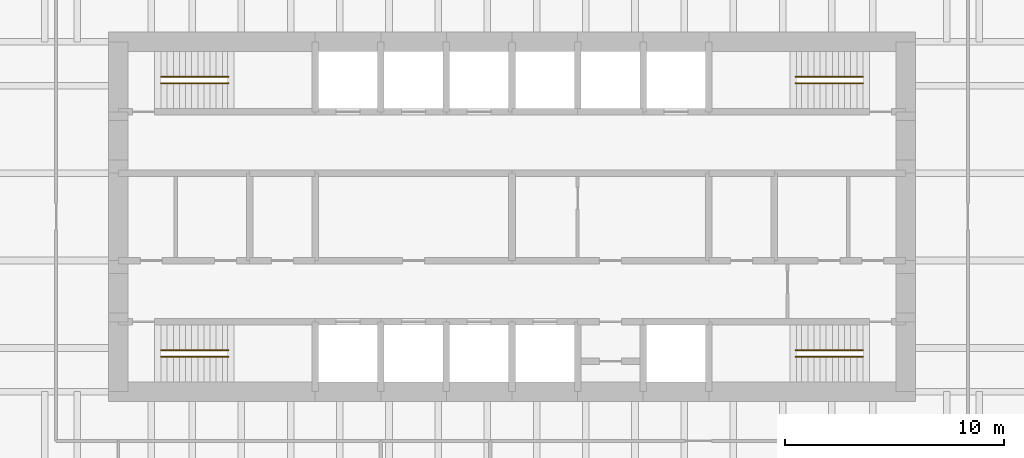
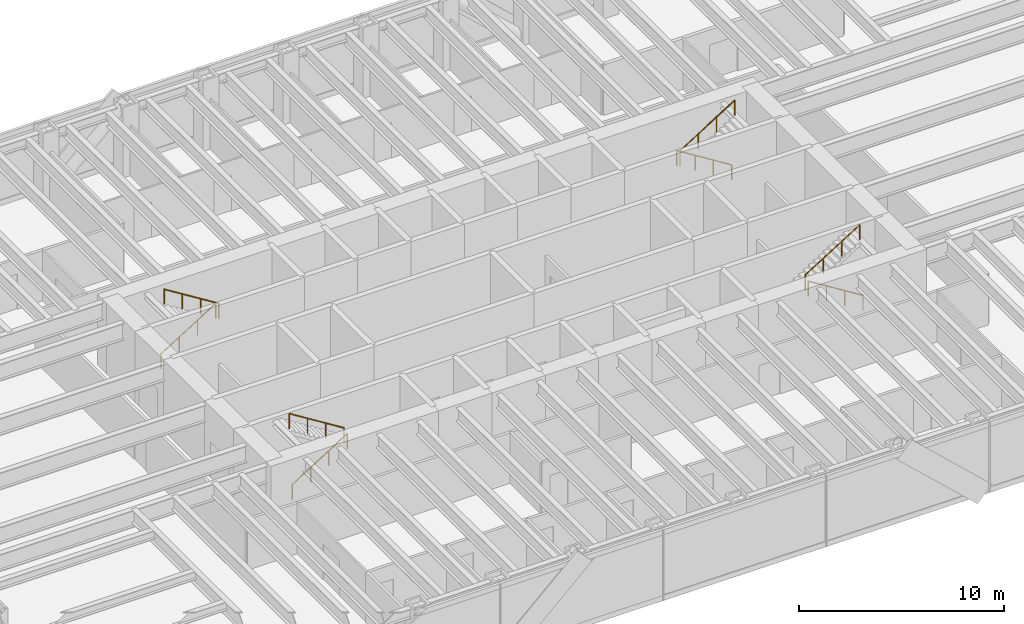
# One storey, part 15 of 15: 8 railings.
"""IFC4 building model written with IfcOpenShell, lengths in metres."""

import ifcopenshell
import ifcopenshell.guid

model = None  # the IFC model being written
_history = None  # IfcOwnerHistory: only IFC2X3 demands one
_inside = {}  # id of a spatial element -> (the spatial element, [elements in it])
_under = {}  # id of a project, library or spatial element -> (it, [spatial elements below it])
_declared = {}  # id of a project -> (the project, [libraries it declares])
_typed = {}  # id of a type object -> (the type object, [elements of that type])
_made_of = {}  # id of a material, layer set ... -> (it, [elements and type objects made of it])


def new_model(schema):
    """Start an empty IFC model of exactly this schema.

    Asked for "IFC4X3", IfcOpenShell would pick the latest addendum, in which some entities
    have other attributes; the version numbers below select the first issue.
    IFC2X3 requires an IfcOwnerHistory on every rooted entity: one is made here for all.
    """
    global model, _history
    if schema == "IFC4X3":
        model = ifcopenshell.file(schema_version=(4, 3, 0, 0))
    else:
        model = ifcopenshell.file(schema=schema)
    _inside.clear()
    _under.clear()
    _declared.clear()
    _typed.clear()
    _made_of.clear()
    _history = None
    if model.schema == "IFC2X3":
        org = make("IfcOrganization", Name="unknown")
        user = make(
            "IfcPersonAndOrganization",
            ThePerson=make("IfcPerson", FamilyName="unknown"),
            TheOrganization=org,
        )
        app = make(
            "IfcApplication",
            ApplicationDeveloper=org,
            Version="unknown",
            ApplicationFullName="unknown",
            ApplicationIdentifier="unknown",
        )
        _history = make(
            "IfcOwnerHistory",
            OwningUser=user,
            OwningApplication=app,
            ChangeAction="ADDED",
            CreationDate=0,
        )
    return model


def make(cls, **values):
    """One entity of the class cls with the attributes given. An attribute that is None is left unset."""
    return model.create_entity(
        cls, **{name: value for name, value in values.items() if value is not None}
    )


def rooted(cls, **values):
    """An entity with a GlobalId (a new one), such as an element, a storey or a relation."""
    return make(cls, GlobalId=ifcopenshell.guid.new(), OwnerHistory=_history, **values)


def si_unit(unit_type, name, prefix=None):
    """IfcSIUnit, for example si_unit("LENGTHUNIT", "METRE", prefix="MILLI")."""
    return make("IfcSIUnit", UnitType=unit_type, Prefix=prefix, Name=name)


def assignment(units):
    """IfcUnitAssignment: the units of a project."""
    return None if units is None else make("IfcUnitAssignment", Units=units)


def point(xyz):
    """IfcCartesianPoint."""
    return None if xyz is None else make("IfcCartesianPoint", Coordinates=xyz)


def direction(xyz):
    """IfcDirection."""
    return None if xyz is None else make("IfcDirection", DirectionRatios=xyz)


def frame(location, z_axis=None, x_axis=None):
    """IfcAxis2Placement3D, a coordinate frame: its origin and axes. An axis left out is left unset."""
    return make(
        "IfcAxis2Placement3D",
        Location=point(location),
        Axis=direction(z_axis),
        RefDirection=direction(x_axis),
    )


def frame_2d(location, x_axis=None):
    """IfcAxis2Placement2D, a coordinate frame in the plane: its origin and x axis."""
    return make(
        "IfcAxis2Placement2D", Location=point(location), RefDirection=direction(x_axis)
    )


def origin():
    """The frame at (0, 0, 0) with its axes left unset."""
    return frame((0.0, 0.0, 0.0))


def origin_2d():
    """The frame at (0, 0) in the plane with its x axis left unset."""
    return frame_2d((0.0, 0.0))


def place(relative_to, where):
    """IfcLocalPlacement: puts the frame where relative to a parent placement (None: the world)."""
    return make(
        "IfcLocalPlacement", PlacementRelTo=relative_to, RelativePlacement=where
    )


def context(
    kind, dimensions, precision=None, world=None, true_north=None, identifier=None
):
    """IfcGeometricRepresentationContext, for example the 3D "Model" context."""
    return make(
        "IfcGeometricRepresentationContext",
        ContextIdentifier=identifier,
        ContextType=kind,
        CoordinateSpaceDimension=dimensions,
        Precision=precision,
        WorldCoordinateSystem=world,
        TrueNorth=true_north,
    )


def subcontext(parent, identifier, kind, view, scale=None):
    """IfcGeometricRepresentationSubContext, for example "Body" below "Model"."""
    return make(
        "IfcGeometricRepresentationSubContext",
        ContextIdentifier=identifier,
        ContextType=kind,
        ParentContext=parent,
        TargetScale=scale,
        TargetView=view,
    )


def project(units=None, contexts=None):
    """IfcProject with its units and contexts."""
    return rooted(
        "IfcProject",
        Name="project",
        RepresentationContexts=contexts,
        UnitsInContext=assignment(units),
    )


def spatial(cls, under=None, at=None, **own):
    """A site, building, storey or space (cls), placed at a placement, below another one or the project."""
    s = rooted(cls, ObjectPlacement=at, **own)
    if under is not None:
        _under.setdefault(under.id(), (under, []))[1].append(s)
    return s


def profile(cls, at=None, kind="AREA", **sizes):
    """A parametric profile (cls). Its sizes go by their IFC names, for example OverallWidth=200.0."""
    return make(cls, ProfileType=kind, Position=at, **sizes)


def circle(**sizes):
    """IfcCircleProfileDef."""
    return profile("IfcCircleProfileDef", **sizes)


def extrude(swept, where, along, depth):
    """IfcExtrudedAreaSolid: the profile swept, set in the frame where, extruded along a direction by depth."""
    return make(
        "IfcExtrudedAreaSolid",
        SweptArea=swept,
        Position=where,
        ExtrudedDirection=direction(along),
        Depth=depth,
    )


def shape(context_of_items, identifier, shape_type, items):
    """IfcShapeRepresentation: the items that make up one representation, for example the "Body"."""
    return make(
        "IfcShapeRepresentation",
        ContextOfItems=context_of_items,
        RepresentationIdentifier=identifier,
        RepresentationType=shape_type,
        Items=items,
    )


def material(Name=None, Category=None):
    """IfcMaterial."""
    return make("IfcMaterial", Name=Name, Category=Category)


def made_of(thing, what):
    """Note that an element or type object is made of a material, layer set ...; save() writes the relation."""
    if what is not None:
        _made_of.setdefault(what.id(), (what, []))[1].append(thing)
    return thing


def type_object(cls, material=None, **own):
    """A type object (cls), such as IfcWallType, which elements share."""
    return made_of(rooted(cls, **own), material)


def element(
    cls,
    number,
    at=None,
    inside=None,
    cuts=None,
    type_object=None,
    material=None,
    context=None,
    identifier="Body",
    shape_type=None,
    held_by="IfcProductDefinitionShape",
    body=None,
    shapes=None,
    **own,
):
    """One element of the class cls, such as IfcWall. Its Tag is "e" and its number.

    at: its placement. inside: the storey or other place that contains it. cuts: it is an
    opening in that element (IfcRelVoidsElement). A single representation is given by context,
    identifier, shape_type and body (its items); several are given by shapes. held_by: the class
    of the entity that holds the representations. save() writes the other relations.
    """
    e = rooted(cls, Tag="e%d" % number, ObjectPlacement=at, **own)
    if body is not None:
        shapes = [shape(context, identifier, shape_type, body)]
    if shapes is not None:
        e.Representation = make(held_by, Representations=shapes)
    if inside is not None:
        _inside.setdefault(inside.id(), (inside, []))[1].append(e)
    if cuts is not None:
        rooted(
            "IfcRelVoidsElement", RelatingBuildingElement=cuts, RelatedOpeningElement=e
        )
    if type_object is not None:
        _typed.setdefault(type_object.id(), (type_object, []))[1].append(e)
    return made_of(e, material)


def aggregate(whole, parts):
    """IfcRelAggregates: a whole, such as a stair, and the parts it consists of."""
    return rooted("IfcRelAggregates", RelatingObject=whole, RelatedObjects=parts)


def save(model, path):
    """Write the relations noted so far, then the file.

    IfcRelAggregates (storeys below a building ...), IfcRelContainedInSpatialStructure (elements
    in a storey), IfcRelDefinesByType, IfcRelAssociatesMaterial and IfcRelDeclares: one each for
    every whole, place, type object, material and project.
    """
    for whole, parts in _under.values():
        aggregate(whole, parts)
    for where, things in _inside.values():
        rooted(
            "IfcRelContainedInSpatialStructure",
            RelatedElements=things,
            RelatingStructure=where,
        )
    for kind, things in _typed.values():
        rooted("IfcRelDefinesByType", RelatedObjects=things, RelatingType=kind)
    for what, things in _made_of.values():
        rooted("IfcRelAssociatesMaterial", RelatedObjects=things, RelatingMaterial=what)
    for by, libraries in _declared.values():
        rooted("IfcRelDeclares", RelatingContext=by, RelatedDefinitions=libraries)
    model.write(path)


model = new_model("IFC4")

# Units and contexts
model_context = context("Model", 3, precision=1e-05, world=origin(), true_north=direction((0.0, 1.0)))
body_context = subcontext(model_context, "Body", "Model", "MODEL_VIEW")
ifc_project = project(units=[si_unit("LENGTHUNIT", "METRE"), si_unit("AREAUNIT", "SQUARE_METRE"), si_unit("VOLUMEUNIT", "CUBIC_METRE"), si_unit("PLANEANGLEUNIT", "RADIAN"), si_unit("MASSUNIT", "GRAM", prefix="KILO")], contexts=[model_context])

# Site, building, storey
site_placement = place(None, origin())
site = spatial("IfcSite", under=ifc_project, at=site_placement, CompositionType="ELEMENT")
building_placement = place(site_placement, origin())
building = spatial("IfcBuilding", under=site, at=building_placement, Name="Rheinbord Bourse Tower", CompositionType="ELEMENT")
storey_placement = place(building_placement, frame((0.0, 0.0, 113.10009765625)))
storey = spatial("IfcBuildingStorey", under=building, at=storey_placement, Name="L24", CompositionType="ELEMENT", Elevation=113.10009765625)

# Railings
ifc_material = material(Name="Steel handrail", Category="steel")
railing_type = type_object("IfcRailingType", Name="HANDRAIL 900", PredefinedType="HANDRAIL", material=ifc_material)
railing_1_placement = place(storey_placement, frame((19.949951171875, 17.60009765625, 0.1748046875)))
element("IfcRailing", 1, at=railing_1_placement, inside=storey, type_object=railing_type, Name="Handrail", PredefinedType="HANDRAIL", context=body_context, shape_type="SweptSolid", body=[
    extrude(circle(Radius=0.02392578125, at=origin_2d()), frame((0.0, 0.0, 0.8759765625), z_axis=(0.847998304005, 0.0, 0.529998940003), x_axis=(0.0, 1.0, 0.0)), (0.0, 0.0, 1.0), 3.632080078125),
    extrude(circle(Radius=0.02099609375, at=origin_2d()), origin(), (0.0, 0.0, 1.0), 0.851806640625),
    extrude(circle(Radius=0.02099609375, at=origin_2d()), frame((1.026611328125, 0.0, 0.6416015625)), (0.0, 0.0, 1.0), 0.851806640625),
    extrude(circle(Radius=0.02099609375, at=origin_2d()), frame((2.053466796875, 0.0, 1.283447265625)), (0.0, 0.0, 1.0), 0.851806640625),
    extrude(circle(Radius=0.02099609375, at=origin_2d()), frame((3.080078125, 0.0, 1.925048828125)), (0.0, 0.0, 1.0), 0.851806640625),
])
railing_2_placement = place(storey_placement, frame((23.030029296875, 17.89990234375, 2.27490234375)))
element("IfcRailing", 2, at=railing_2_placement, inside=storey, type_object=railing_type, Name="Handrail", PredefinedType="HANDRAIL", context=body_context, shape_type="SweptSolid", body=[
    extrude(circle(Radius=0.02392578125, at=origin_2d()), frame((0.0, 0.0, 0.8759765625), z_axis=(-0.847998304005, 0.0, 0.529998940003), x_axis=(0.0, -1.0, 0.0)), (0.0, 0.0, 1.0), 3.632080078125),
    extrude(circle(Radius=0.02099609375, at=origin_2d()), origin(), (0.0, 0.0, 1.0), 0.851806640625),
    extrude(circle(Radius=0.02099609375, at=origin_2d()), frame((-1.026611328125, 0.0, 0.6416015625)), (0.0, 0.0, 1.0), 0.851806640625),
    extrude(circle(Radius=0.02099609375, at=origin_2d()), frame((-2.053466796875, 0.0, 1.283447265625)), (0.0, 0.0, 1.0), 0.851806640625),
    extrude(circle(Radius=0.02099609375, at=origin_2d()), frame((-3.080078125, 0.0, 1.925048828125)), (0.0, 0.0, 1.0), 0.851806640625),
])
railing_3_placement = place(storey_placement, frame((19.949951171875, 30.39990234375, 0.1748046875)))
element("IfcRailing", 3, at=railing_3_placement, inside=storey, type_object=railing_type, Name="Handrail", PredefinedType="HANDRAIL", context=body_context, shape_type="SweptSolid", body=[
    extrude(circle(Radius=0.02392578125, at=origin_2d()), frame((0.0, 0.0, 0.8759765625), z_axis=(0.847998304005, 0.0, 0.529998940003), x_axis=(0.0, 1.0, 0.0)), (0.0, 0.0, 1.0), 3.632080078125),
    extrude(circle(Radius=0.02099609375, at=origin_2d()), origin(), (0.0, 0.0, 1.0), 0.851806640625),
    extrude(circle(Radius=0.02099609375, at=origin_2d()), frame((1.026611328125, 0.0, 0.6416015625)), (0.0, 0.0, 1.0), 0.851806640625),
    extrude(circle(Radius=0.02099609375, at=origin_2d()), frame((2.053466796875, 0.0, 1.283447265625)), (0.0, 0.0, 1.0), 0.851806640625),
    extrude(circle(Radius=0.02099609375, at=origin_2d()), frame((3.080078125, 0.0, 1.925048828125)), (0.0, 0.0, 1.0), 0.851806640625),
])
for number, where, name in (
    (4, (23.030029296875, 30.10009765625, 2.27490234375), "Handrail"),
    (5, (52.050048828125, 17.60009765625, 0.1748046875), "Handrail"),
):
    element("IfcRailing", number, at=place(storey_placement, frame(where)), inside=storey, type_object=railing_type, Name=name, PredefinedType="HANDRAIL", context=body_context, shape_type="SweptSolid", body=[
        extrude(circle(Radius=0.02392578125, at=origin_2d()), frame((0.0, 0.0, 0.8759765625), z_axis=(-0.847998304005, 0.0, 0.529998940003), x_axis=(0.0, -1.0, 0.0)), (0.0, 0.0, 1.0), 3.632080078125),
        extrude(circle(Radius=0.02099609375, at=origin_2d()), origin(), (0.0, 0.0, 1.0), 0.851806640625),
        extrude(circle(Radius=0.02099609375, at=origin_2d()), frame((-1.026611328125, 0.0, 0.6416015625)), (0.0, 0.0, 1.0), 0.851806640625),
        extrude(circle(Radius=0.02099609375, at=origin_2d()), frame((-2.053466796875, 0.0, 1.283447265625)), (0.0, 0.0, 1.0), 0.851806640625),
        extrude(circle(Radius=0.02099609375, at=origin_2d()), frame((-3.080078125, 0.0, 1.925048828125)), (0.0, 0.0, 1.0), 0.851806640625),
    ])
railing_4_placement = place(storey_placement, frame((48.969970703125, 17.89990234375, 2.27490234375)))
element("IfcRailing", 6, at=railing_4_placement, inside=storey, type_object=railing_type, Name="Handrail", PredefinedType="HANDRAIL", context=body_context, shape_type="SweptSolid", body=[
    extrude(circle(Radius=0.02392578125, at=origin_2d()), frame((0.0, 0.0, 0.8759765625), z_axis=(0.847998304005, 0.0, 0.529998940003), x_axis=(0.0, 1.0, 0.0)), (0.0, 0.0, 1.0), 3.632080078125),
    extrude(circle(Radius=0.02099609375, at=origin_2d()), origin(), (0.0, 0.0, 1.0), 0.851806640625),
    extrude(circle(Radius=0.02099609375, at=origin_2d()), frame((1.026611328125, 0.0, 0.6416015625)), (0.0, 0.0, 1.0), 0.851806640625),
    extrude(circle(Radius=0.02099609375, at=origin_2d()), frame((2.053466796875, 0.0, 1.283447265625)), (0.0, 0.0, 1.0), 0.851806640625),
    extrude(circle(Radius=0.02099609375, at=origin_2d()), frame((3.080078125, 0.0, 1.925048828125)), (0.0, 0.0, 1.0), 0.851806640625),
])
railing_5_placement = place(storey_placement, frame((52.050048828125, 30.39990234375, 0.1748046875)))
element("IfcRailing", 7, at=railing_5_placement, inside=storey, type_object=railing_type, Name="Handrail", PredefinedType="HANDRAIL", context=body_context, shape_type="SweptSolid", body=[
    extrude(circle(Radius=0.02392578125, at=origin_2d()), frame((0.0, 0.0, 0.8759765625), z_axis=(-0.847998304005, 0.0, 0.529998940003), x_axis=(0.0, -1.0, 0.0)), (0.0, 0.0, 1.0), 3.632080078125),
    extrude(circle(Radius=0.02099609375, at=origin_2d()), origin(), (0.0, 0.0, 1.0), 0.851806640625),
    extrude(circle(Radius=0.02099609375, at=origin_2d()), frame((-1.026611328125, 0.0, 0.6416015625)), (0.0, 0.0, 1.0), 0.851806640625),
    extrude(circle(Radius=0.02099609375, at=origin_2d()), frame((-2.053466796875, 0.0, 1.283447265625)), (0.0, 0.0, 1.0), 0.851806640625),
    extrude(circle(Radius=0.02099609375, at=origin_2d()), frame((-3.080078125, 0.0, 1.925048828125)), (0.0, 0.0, 1.0), 0.851806640625),
])
railing_6_placement = place(storey_placement, frame((48.969970703125, 30.10009765625, 2.27490234375)))
element("IfcRailing", 8, at=railing_6_placement, inside=storey, type_object=railing_type, Name="Handrail", PredefinedType="HANDRAIL", context=body_context, shape_type="SweptSolid", body=[
    extrude(circle(Radius=0.02392578125, at=origin_2d()), frame((0.0, 0.0, 0.8759765625), z_axis=(0.847998304005, 0.0, 0.529998940003), x_axis=(0.0, 1.0, 0.0)), (0.0, 0.0, 1.0), 3.632080078125),
    extrude(circle(Radius=0.02099609375, at=origin_2d()), origin(), (0.0, 0.0, 1.0), 0.851806640625),
    extrude(circle(Radius=0.02099609375, at=origin_2d()), frame((1.026611328125, 0.0, 0.6416015625)), (0.0, 0.0, 1.0), 0.851806640625),
    extrude(circle(Radius=0.02099609375, at=origin_2d()), frame((2.053466796875, 0.0, 1.283447265625)), (0.0, 0.0, 1.0), 0.851806640625),
    extrude(circle(Radius=0.02099609375, at=origin_2d()), frame((3.080078125, 0.0, 1.925048828125)), (0.0, 0.0, 1.0), 0.851806640625),
])

save(model, "model.ifc")
